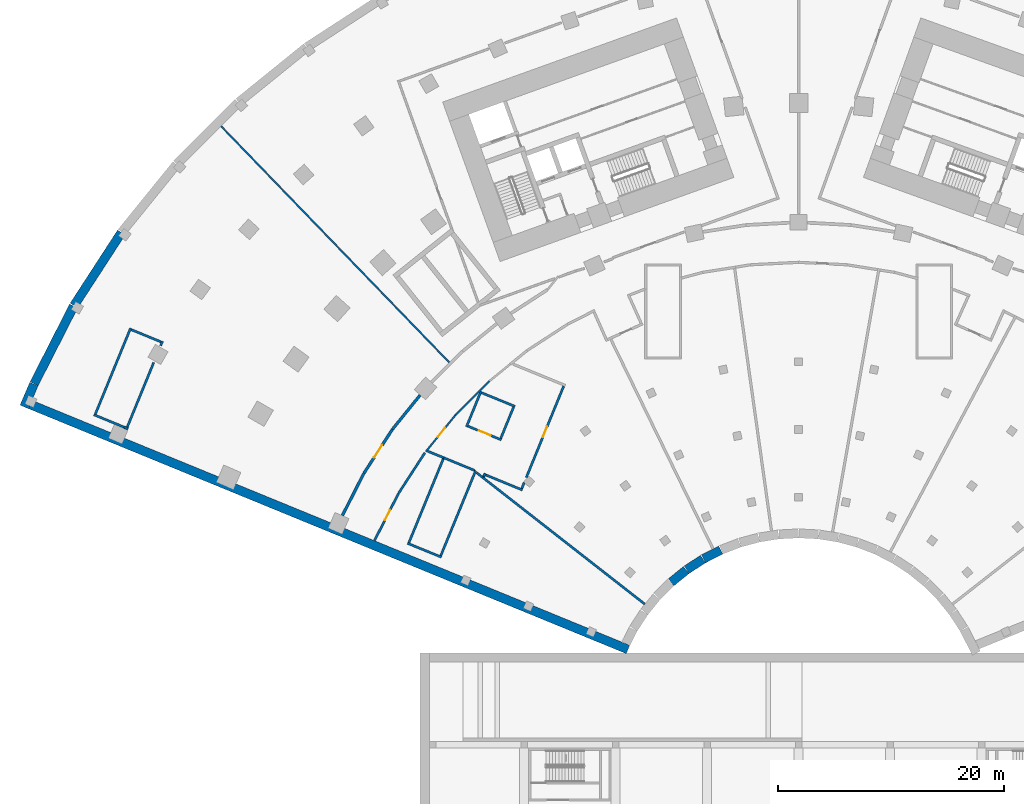
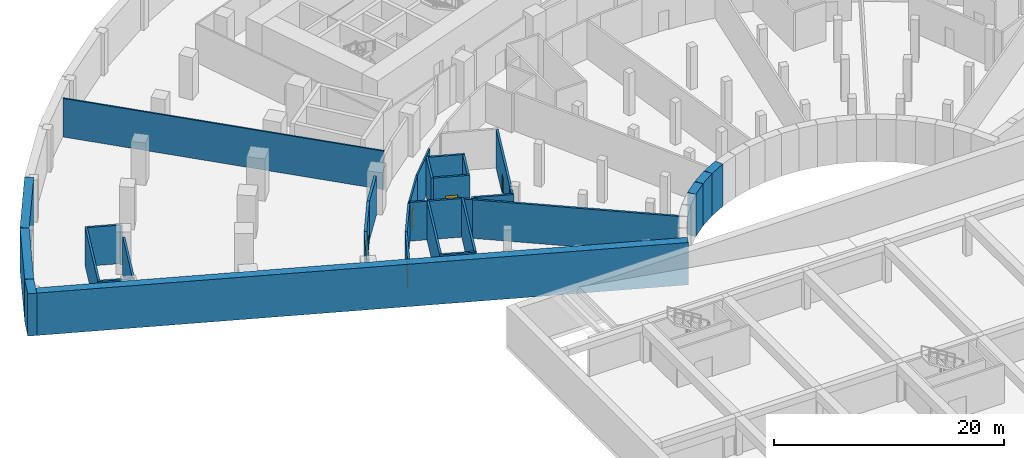
# One storey, part 7 of 21: 36 walls, 5 doors, 5 openings.
"""IFC4 building model written with IfcOpenShell, lengths in metres."""

from ifc_helpers import new_model, si_unit, direction, frame, frame_2d, origin, place, context, subcontext, project, spatial, rectangle, extrude, material, layer, layer_set, type_object, element, fill, save


model = new_model("IFC4")

# Units and contexts
model_context = context("Model", 3, precision=1e-05, world=origin(), true_north=direction((0.0, 1.0)))
body_context = subcontext(model_context, "Body", "Model", "MODEL_VIEW")
ifc_project = project(units=[si_unit("LENGTHUNIT", "METRE"), si_unit("AREAUNIT", "SQUARE_METRE"), si_unit("VOLUMEUNIT", "CUBIC_METRE"), si_unit("PLANEANGLEUNIT", "RADIAN"), si_unit("MASSUNIT", "GRAM", prefix="KILO")], contexts=[model_context])

# Site, building, storey
site_placement = place(None, origin())
site = spatial("IfcSite", under=ifc_project, at=site_placement, CompositionType="ELEMENT")
building_placement = place(site_placement, origin())
building = spatial("IfcBuilding", under=site, at=building_placement, Name="Stone Belt Terrace Tower", CompositionType="ELEMENT")
storey_placement = place(building_placement, frame((0.0, 0.0, -9.0)))
storey = spatial("IfcBuildingStorey", under=building, at=storey_placement, Name="B2", CompositionType="ELEMENT", Elevation=-9.0)

# Walls
ifc_material_1 = material(Name="Concrete B30", Category="concrete")
ifc_layer_1 = layer(ifc_material_1, 0.800048828125)
ifc_layer_set_1 = layer_set([ifc_layer_1], Name="Basement wall 800 B30")
wall_type_1 = type_object("IfcWallType", Name="Basement wall 800 B30", PredefinedType="SHEAR", material=ifc_layer_set_1)
for number, where, z_axis, x_axis, name in (
    (1, (-11.29248046875, 12.57275390625, 0.0), (0.0, 0.0, 1.0), (0.777159277127, 0.629303947211, 0.0), "Basement wall B2 5"),
    (2, (-9.916259765625, 13.68408203125, 0.0), (0.0, 0.0, 1.0), (0.83855986691, 0.544809461745, 0.0), "Basement wall B2 6"),
    (3, (-8.431640625, 14.645751953125, 0.0), (0.0, 0.0, 1.0), (0.890980157198, 0.454042244157, 0.0), "Basement wall B2 7"),
):
    element("IfcWall", number, at=place(storey_placement, frame(where, z_axis=z_axis, x_axis=x_axis)), inside=storey, type_object=wall_type_1, Name=name, PredefinedType="SHEAR", context=body_context, shape_type="SweptSolid", body=[
        extrude(rectangle(XDim=1.72705078125, YDim=0.800048828125, at=frame_2d((0.863525390625, 0.0))), origin(), (0.0, 0.0, 1.0), 4.5),
    ])
wall_1_placement = place(storey_placement, frame((-59.958984375, 43.537109375, 0.0), z_axis=(0.0, 0.0, 1.0), x_axis=(-0.544654589696, -0.838660466412, 0.0)))
element("IfcWall", 4, at=wall_1_placement, inside=storey, type_object=wall_type_1, Name="Basement wall B2 45", PredefinedType="SHEAR", context=body_context, shape_type="SweptSolid", body=[
    extrude(rectangle(XDim=7.71435546875, YDim=0.800048828125, at=frame_2d((3.857177734375, 0.0))), origin(), (0.0, 0.0, 1.0), 4.5),
])
wall_2_placement = place(storey_placement, frame((-64.181396484375, 37.031005859375, 0.0), z_axis=(0.0, 0.0, 1.0), x_axis=(-0.453998176185, -0.891002612803, 0.0)))
element("IfcWall", 5, at=wall_2_placement, inside=storey, type_object=wall_type_1, Name="Basement wall B2 46", PredefinedType="SHEAR", context=body_context, shape_type="SweptSolid", body=[
    extrude(rectangle(XDim=7.729248046875, YDim=0.800048828125, at=frame_2d((3.86474609375, 0.0))), origin(), (0.0, 0.0, 1.0), 4.5),
])
wall_3_placement = place(storey_placement, frame((-67.701904296875, 30.119873046875, 0.0), z_axis=(0.0, 0.0, 1.0), x_axis=(-0.39301958046, -0.919530102485, 0.0)))
element("IfcWall", 6, at=wall_3_placement, inside=storey, type_object=wall_type_1, Name="Basement wall B2 47", PredefinedType="SHEAR", context=body_context, shape_type="SweptSolid", body=[
    extrude(rectangle(XDim=2.194580078125, YDim=0.800048828125, at=frame_2d((1.09716796875, 0.0))), origin(), (0.0, 0.0, 1.0), 4.5),
])
wall_4_placement = place(storey_placement, frame((-68.037109375, 28.318115234375, 0.0), z_axis=(0.0, 0.0, 1.0), x_axis=(0.925297576328, -0.37924186905, 0.0)))
element("IfcWall", 7, at=wall_4_placement, inside=storey, type_object=wall_type_1, Name="Basement wall B2 48", PredefinedType="SHEAR", context=body_context, shape_type="SweptSolid", body=[
    extrude(rectangle(XDim=57.199951171875, YDim=0.800048828125, at=frame_2d((28.60009765625, 0.0))), origin(), (0.0, 0.0, 1.0), 4.5),
])
ifc_layer_2 = layer(ifc_material_1, 0.25)
ifc_layer_set_2 = layer_set([ifc_layer_2], Name="Compartment wall 250")
wall_type_2 = type_object("IfcWallType", Name="Compartment wall 250", PredefinedType="SOLIDWALL", material=ifc_layer_set_2)
wall_5_placement = place(storey_placement, frame((-40.39208984375, 18.488037109375, 0.0), z_axis=(0.0, 0.0, 1.0), x_axis=(0.454112038916, 0.890944586443, 0.0)))
element("IfcWall", 8, at=wall_5_placement, inside=storey, type_object=wall_type_2, Name="Compartment wall B2 1", PredefinedType="SOLIDWALL", context=body_context, shape_type="SweptSolid", body=[
    extrude(rectangle(XDim=4.18212890625, YDim=0.25, at=frame_2d((2.091064453125, 0.0))), origin(), (0.0, 0.0, 1.0), 4.10009765625),
])

# Wall, opening, door
wall_6_placement = place(storey_placement, frame((-38.486572265625, 22.2255859375, 0.0), z_axis=(0.0, 0.0, 1.0), x_axis=(0.544253220019, 0.838920993002, 0.0)))
wall_6 = element("IfcWall", 9, at=wall_6_placement, inside=storey, type_object=wall_type_2, Name="Compartment wall B2 2", PredefinedType="SOLIDWALL", context=body_context, shape_type="SweptSolid", body=[
    extrude(rectangle(XDim=4.635498046875, YDim=0.25, at=frame_2d((2.31787109375, 0.0))), origin(), (0.0, 0.0, 1.0), 4.10009765625),
])
opening_1_placement = place(wall_6_placement, frame((1.667724609375, 0.0, 0.0)))
opening_1 = element("IfcOpeningElement", 10, at=opening_1_placement, cuts=wall_6, Name="Opening B2-P10", PredefinedType="OPENING", context=body_context, shape_type="SweptSolid", body=[
    extrude(rectangle(XDim=1.300048828125, YDim=2.10009765625, at=frame_2d((0.64990234375, 1.050048828125))), frame((0.0, 0.135009765625, 0.0), z_axis=(0.0, -1.0, 0.0), x_axis=(1.0, 0.0, 0.0)), (0.0, 0.0, 1.0), 0.27001953125),
])
ifc_material_2 = material(Name="Steel framed fire door leaf", Category="steel")
door_type_1 = type_object("IfcDoorType", Name="Fire door 1300 x 2100 EI 60", OperationType="SINGLE_SWING_LEFT", PredefinedType="DOOR", material=ifc_material_2)
door_1_placement = place(opening_1_placement, origin())
door_1 = element("IfcDoor", 11, at=door_1_placement, inside=storey, type_object=door_type_1, Name="Fire door 1300 x 2100 EI 60", OperationType="SINGLE_SWING_LEFT", OverallHeight=2.10009765625, OverallWidth=1.300048828125, PredefinedType="DOOR", context=body_context, shape_type="SweptSolid", body=[
    extrude(rectangle(XDim=1.300048828125, YDim=2.10009765625, at=frame_2d((0.64990234375, 1.050048828125))), frame((0.0, 0.02490234375, 0.0), z_axis=(0.0, -1.0, 0.0), x_axis=(1.0, 0.0, 0.0)), (0.0, 0.0, 1.0), 0.050048828125),
])
fill(opening_1, door_1)

# Wall
wall_7_placement = place(storey_placement, frame((-35.955810546875, 26.125, 0.0), z_axis=(0.0, 0.0, 1.0), x_axis=(0.629104116974, 0.777321046934, 0.0)))
element("IfcWall", 12, at=wall_7_placement, inside=storey, type_object=wall_type_2, Name="Compartment wall B2 3", PredefinedType="SOLIDWALL", context=body_context, shape_type="SweptSolid", body=[
    extrude(rectangle(XDim=3.880859375, YDim=0.25, at=frame_2d((1.9404296875, 0.0))), origin(), (0.0, 0.0, 1.0), 4.10009765625),
])

# Wall, opening, door
ifc_material_3 = material(Name="Blockwork wall, plastered both faces", Category="masonry")
ifc_layer_3 = layer(ifc_material_3, 0.199951171875)
ifc_layer_set_3 = layer_set([ifc_layer_3], Name="Podium demising wall 200")
wall_type_3 = type_object("IfcWallType", Name="Podium demising wall 200", PredefinedType="PARTITIONING", material=ifc_layer_set_3)
wall_8_placement = place(storey_placement, frame((-37.550537109375, 16.264892578125, 0.0), z_axis=(0.0, 0.0, 1.0), x_axis=(0.453666479384, 0.891171546608, 0.0)))
wall_8 = element("IfcWall", 13, at=wall_8_placement, inside=storey, type_object=wall_type_3, Name="Podium demising wall 200", PredefinedType="PARTITIONING", context=body_context, shape_type="SweptSolid", body=[
    extrude(rectangle(XDim=4.682861328125, YDim=0.199951171875, at=frame_2d((2.34130859375, 0.0))), origin(), (0.0, 0.0, 1.0), 4.10009765625),
])
opening_2_placement = place(wall_8_placement, frame((2.03369140625, 0.0, 0.0)))
opening_2 = element("IfcOpeningElement", 14, at=opening_2_placement, cuts=wall_8, Name="Opening B2-P03", PredefinedType="OPENING", context=body_context, shape_type="SweptSolid", body=[
    extrude(rectangle(XDim=1.0, YDim=2.10009765625, at=frame_2d((0.5, 1.050048828125))), frame((0.0, 0.10986328125, 0.0), z_axis=(0.0, -1.0, 0.0), x_axis=(1.0, 0.0, 0.0)), (0.0, 0.0, 1.0), 0.219970703125),
])
ifc_material_4 = material(Name="Steel framed door leaf", Category="steel")
door_type_2 = type_object("IfcDoorType", Name="Podium door single 1000", OperationType="SINGLE_SWING_LEFT", PredefinedType="DOOR", material=ifc_material_4)
door_2_placement = place(opening_2_placement, origin())
door_2 = element("IfcDoor", 15, at=door_2_placement, inside=storey, type_object=door_type_2, Name="Podium door single 1000", OperationType="SINGLE_SWING_LEFT", OverallHeight=2.10009765625, OverallWidth=1.0, PredefinedType="DOOR", context=body_context, shape_type="SweptSolid", body=[
    extrude(rectangle(XDim=1.0, YDim=2.10009765625, at=frame_2d((0.5, 1.050048828125))), frame((0.0, 0.02490234375, 0.0), z_axis=(0.0, -1.0, 0.0), x_axis=(1.0, 0.0, 0.0)), (0.0, 0.0, 1.0), 0.050048828125),
])
fill(opening_2, door_2)

# Walls
wall_9_placement = place(storey_placement, frame((-35.4169921875, 20.454345703125, 0.0), z_axis=(0.0, 0.0, 1.0), x_axis=(0.544379260043, 0.838839210597, 0.0)))
element("IfcWall", 16, at=wall_9_placement, inside=storey, type_object=wall_type_3, Name="Podium demising wall 200", PredefinedType="PARTITIONING", context=body_context, shape_type="SweptSolid", body=[
    extrude(rectangle(XDim=4.27001953125, YDim=0.199951171875, at=frame_2d((2.135009765625, 0.0))), origin(), (0.0, 0.0, 1.0), 4.10009765625),
])
wall_10_placement = place(storey_placement, frame((-33.012451171875, 24.24951171875, 0.0), z_axis=(0.0, 0.0, 1.0), x_axis=(0.925948983582, -0.377648619492, 0.0)))
element("IfcWall", 17, at=wall_10_placement, inside=storey, type_object=wall_type_3, Name="Podium demising wall 200", PredefinedType="PARTITIONING", context=body_context, shape_type="SweptSolid", body=[
    extrude(rectangle(XDim=1.7197265625, YDim=0.199951171875, at=frame_2d((0.85986328125, 0.0))), origin(), (0.0, 0.0, 1.0), 4.10009765625),
])
wall_11_placement = place(storey_placement, frame((-28.526123046875, 22.288818359375, 0.0), z_axis=(0.0, 0.0, 1.0), x_axis=(0.78751192227, -0.61629941772, 0.0)))
element("IfcWall", 18, at=wall_11_placement, inside=storey, type_object=wall_type_3, Name="Podium demising wall 200", PredefinedType="PARTITIONING", context=body_context, shape_type="SweptSolid", body=[
    extrude(rectangle(XDim=0.744384765625, YDim=0.199951171875, at=frame_2d((0.3720703125, 0.0))), origin(), (0.0, 0.0, 1.0), 4.10009765625),
])
wall_12_placement = place(storey_placement, frame((-27.8818359375, 21.931640625, 0.0), z_axis=(0.0, 0.0, 1.0), x_axis=(0.495967186365, 0.868341263588, 0.0)))
element("IfcWall", 19, at=wall_12_placement, inside=storey, type_object=wall_type_3, Name="Podium demising wall 200", PredefinedType="PARTITIONING", context=body_context, shape_type="SweptSolid", body=[
    extrude(rectangle(XDim=0.30615234375, YDim=0.199951171875, at=frame_2d((0.153076171875, 0.0))), origin(), (0.0, 0.0, 1.0), 4.10009765625),
])
wall_13_placement = place(storey_placement, frame((-27.9384765625, 21.82861328125, 0.0), z_axis=(0.0, 0.0, 1.0), x_axis=(0.787967745866, -0.61571651876, 0.0)))
element("IfcWall", 20, at=wall_13_placement, inside=storey, type_object=wall_type_3, Name="Podium demising wall 200", PredefinedType="PARTITIONING", context=body_context, shape_type="SweptSolid", body=[
    extrude(rectangle(XDim=18.171875, YDim=0.199951171875, at=frame_2d((9.0859375, 0.0))), origin(), (0.0, 0.0, 1.0), 4.10009765625),
])
wall_14_placement = place(storey_placement, frame((-27.686767578125, 22.071533203125, 0.0), z_axis=(0.0, 0.0, 1.0), x_axis=(0.924688232905, -0.380725192137, 0.0)))
element("IfcWall", 21, at=wall_14_placement, inside=storey, type_object=wall_type_3, Name="Podium demising wall 200", PredefinedType="PARTITIONING", context=body_context, shape_type="SweptSolid", body=[
    extrude(rectangle(XDim=3.4921875, YDim=0.199951171875, at=frame_2d((1.74609375, 0.0))), origin(), (0.0, 0.0, 1.0), 4.10009765625),
])
wall_15_placement = place(storey_placement, frame((-24.51220703125, 20.87255859375, 0.0), z_axis=(0.0, 0.0, 1.0), x_axis=(0.378951410759, 0.925416570137, 0.0)))
element("IfcWall", 22, at=wall_15_placement, inside=storey, type_object=wall_type_3, Name="Podium demising wall 200", PredefinedType="PARTITIONING", context=body_context, shape_type="SweptSolid", body=[
    extrude(rectangle(XDim=0.56689453125, YDim=0.199951171875, at=frame_2d((0.283447265625, 0.0))), origin(), (0.0, 0.0, 1.0), 4.10009765625),
])

# Wall, opening, door
wall_16_placement = place(storey_placement, frame((-24.113037109375, 21.84765625, 0.0), z_axis=(0.0, 0.0, 1.0), x_axis=(0.378790337621, 0.925482512058, 0.0)))
wall_16 = element("IfcWall", 23, at=wall_16_placement, inside=storey, type_object=wall_type_3, Name="Podium demising wall 200", PredefinedType="PARTITIONING", context=body_context, shape_type="SweptSolid", body=[
    extrude(rectangle(XDim=8.751953125, YDim=0.199951171875, at=frame_2d((4.3759765625, 0.0))), origin(), (0.0, 0.0, 1.0), 4.10009765625),
])
opening_3_placement = place(wall_16_placement, frame((3.8759765625, 0.0, 0.0)))
opening_3 = element("IfcOpeningElement", 24, at=opening_3_placement, cuts=wall_16, Name="Opening B2-P04", PredefinedType="OPENING", context=body_context, shape_type="SweptSolid", body=[
    extrude(rectangle(XDim=1.0, YDim=2.10009765625, at=frame_2d((0.5, 1.050048828125))), frame((0.0, 0.10986328125, 0.0), z_axis=(0.0, -1.0, 0.0), x_axis=(1.0, 0.0, 0.0)), (0.0, 0.0, 1.0), 0.219970703125),
])
door_3_placement = place(opening_3_placement, origin())
door_3 = element("IfcDoor", 25, at=door_3_placement, inside=storey, type_object=door_type_2, Name="Podium door single 1000", OperationType="SINGLE_SWING_RIGHT", OverallHeight=2.10009765625, OverallWidth=1.0, PredefinedType="DOOR", context=body_context, shape_type="SweptSolid", body=[
    extrude(rectangle(XDim=1.0, YDim=2.10009765625, at=frame_2d((0.5, 1.050048828125))), frame((0.0, 0.02490234375, 0.0), z_axis=(0.0, -1.0, 0.0), x_axis=(1.0, 0.0, 0.0)), (0.0, 0.0, 1.0), 0.050048828125),
])
fill(opening_3, door_3)

# Wall
ifc_material_5 = material(Name="Reinforced blockwork wall, plastered both faces", Category="masonry")
ifc_layer_4 = layer(ifc_material_5, 0.199951171875)
ifc_layer_set_4 = layer_set([ifc_layer_4], Name="Podium lift shaft wall 200")
wall_type_4 = type_object("IfcWallType", Name="Podium lift shaft wall 200", PredefinedType="SOLIDWALL", material=ifc_layer_set_4)
wall_17_placement = place(storey_placement, frame((-29.40771484375, 26.33740234375, 0.0), z_axis=(0.0, 0.0, 1.0), x_axis=(0.378305478066, 0.925680811762, 0.0)))
element("IfcWall", 26, at=wall_17_placement, inside=storey, type_object=wall_type_4, Name="Podium lift shaft wall 200", PredefinedType="SOLIDWALL", context=body_context, shape_type="SweptSolid", body=[
    extrude(rectangle(XDim=3.397705078125, YDim=0.199951171875, at=frame_2d((1.69873046875, 0.0))), origin(), (0.0, 0.0, 1.0), 4.10009765625),
])

# Wall, opening, door
wall_18_placement = place(storey_placement, frame((-29.27734375, 26.39208984375, 0.0), z_axis=(0.0, 0.0, 1.0), x_axis=(0.92564908085, -0.378383111571, 0.0)))
wall_18 = element("IfcWall", 27, at=wall_18_placement, inside=storey, type_object=wall_type_4, Name="Podium lift shaft wall 200", PredefinedType="SOLIDWALL", context=body_context, shape_type="SweptSolid", body=[
    extrude(rectangle(XDim=3.19775390625, YDim=0.199951171875, at=frame_2d((1.598876953125, 0.0))), origin(), (0.0, 0.0, 1.0), 4.10009765625),
])
opening_4_placement = place(wall_18_placement, frame((1.048828125, 0.0, 0.0)))
opening_4 = element("IfcOpeningElement", 28, at=opening_4_placement, cuts=wall_18, Name="Opening B2-P01", PredefinedType="OPENING", context=body_context, shape_type="SweptSolid", body=[
    extrude(rectangle(XDim=1.10009765625, YDim=2.10009765625, at=frame_2d((0.550048828125, 1.050048828125))), frame((0.0, 0.10986328125, 0.0), z_axis=(0.0, -1.0, 0.0), x_axis=(1.0, 0.0, 0.0)), (0.0, 0.0, 1.0), 0.219970703125),
])
ifc_material_6 = material(Name="Stainless steel sliding landing door leaf", Category="steel")
door_type_3 = type_object("IfcDoorType", Name="Podium landing door 1100", OperationType="SLIDING_TO_LEFT", PredefinedType="DOOR", material=ifc_material_6)
door_4_placement = place(opening_4_placement, origin())
door_4 = element("IfcDoor", 29, at=door_4_placement, inside=storey, type_object=door_type_3, Name="Podium landing door 1100", OperationType="SLIDING_TO_LEFT", OverallHeight=2.10009765625, OverallWidth=1.10009765625, PredefinedType="DOOR", context=body_context, shape_type="SweptSolid", body=[
    extrude(rectangle(XDim=1.10009765625, YDim=2.10009765625, at=frame_2d((0.550048828125, 1.050048828125))), frame((0.0, 0.02490234375, 0.0), z_axis=(0.0, -1.0, 0.0), x_axis=(1.0, 0.0, 0.0)), (0.0, 0.0, 1.0), 0.050048828125),
])
fill(opening_4, door_4)

# Walls
wall_19_placement = place(storey_placement, frame((-28.0673828125, 29.352294921875, 0.0), z_axis=(0.0, 0.0, 1.0), x_axis=(0.925622338254, -0.378448526124, 0.0)))
element("IfcWall", 30, at=wall_19_placement, inside=storey, type_object=wall_type_4, Name="Podium lift shaft wall 200", PredefinedType="SOLIDWALL", context=body_context, shape_type="SweptSolid", body=[
    extrude(rectangle(XDim=3.19775390625, YDim=0.199951171875, at=frame_2d((1.598876953125, 0.0))), origin(), (0.0, 0.0, 1.0), 4.10009765625),
])
wall_20_placement = place(storey_placement, frame((-26.372314453125, 25.3125, 0.0), z_axis=(0.0, 0.0, 1.0), x_axis=(0.378442575395, 0.925624771237, 0.0)))
element("IfcWall", 31, at=wall_20_placement, inside=storey, type_object=wall_type_4, Name="Podium lift shaft wall 200", PredefinedType="SOLIDWALL", context=body_context, shape_type="SweptSolid", body=[
    extrude(rectangle(XDim=2.997802734375, YDim=0.199951171875, at=frame_2d((1.4990234375, 0.0))), origin(), (0.0, 0.0, 1.0), 4.10009765625),
])
ifc_material_7 = material(Name="Gypsum board on steel stud partition", Category="steel")
ifc_layer_5 = layer(ifc_material_7, 0.14990234375)
ifc_layer_set_5 = layer_set([ifc_layer_5], Name="Podium partition 150")
wall_type_5 = type_object("IfcWallType", Name="Podium partition 150", PredefinedType="PARTITIONING", material=ifc_layer_set_5)
wall_21_placement = place(storey_placement, frame((-51.1298828125, 52.949951171875, 0.0), z_axis=(0.0, 0.0, 1.0), x_axis=(0.694652330174, -0.719345633325, 0.0)))
element("IfcWall", 32, at=wall_21_placement, inside=storey, type_object=wall_type_5, Name="Podium partition 150", PredefinedType="PARTITIONING", context=body_context, shape_type="SweptSolid", body=[
    extrude(rectangle(XDim=29.08740234375, YDim=0.14990234375, at=frame_2d((14.543701171875, 0.0))), origin(), (0.0, 0.0, 1.0), 4.10009765625),
])

# Wall, opening, door
wall_22_placement = place(storey_placement, frame((-32.8603515625, 24.318359375, 0.0), z_axis=(0.0, 0.0, 1.0), x_axis=(0.62917853157, 0.777260815564, 0.0)))
wall_22 = element("IfcWall", 33, at=wall_22_placement, inside=storey, type_object=wall_type_5, Name="Podium partition 150", PredefinedType="PARTITIONING", context=body_context, shape_type="SweptSolid", body=[
    extrude(rectangle(XDim=3.922119140625, YDim=0.14990234375, at=frame_2d((1.9609375, 0.0))), origin(), (0.0, 0.0, 1.0), 4.10009765625),
])
opening_5_placement = place(wall_22_placement, frame((1.4501953125, 0.0, 0.0)))
opening_5 = element("IfcOpeningElement", 34, at=opening_5_placement, cuts=wall_22, Name="Opening B2-P18", PredefinedType="OPENING", context=body_context, shape_type="SweptSolid", body=[
    extrude(rectangle(XDim=1.0, YDim=2.10009765625, at=frame_2d((0.5, 1.050048828125))), frame((0.0, 0.0849609375, 0.0), z_axis=(0.0, -1.0, 0.0), x_axis=(1.0, 0.0, 0.0)), (0.0, 0.0, 1.0), 0.169921875),
])
door_5_placement = place(opening_5_placement, origin())
door_5 = element("IfcDoor", 35, at=door_5_placement, inside=storey, type_object=door_type_2, Name="Podium door single 1000", OperationType="SINGLE_SWING_RIGHT", OverallHeight=2.10009765625, OverallWidth=1.0, PredefinedType="DOOR", context=body_context, shape_type="SweptSolid", body=[
    extrude(rectangle(XDim=1.0, YDim=2.10009765625, at=frame_2d((0.5, 1.050048828125))), frame((0.0, 0.02490234375, 0.0), z_axis=(0.0, -1.0, 0.0), x_axis=(1.0, 0.0, 0.0)), (0.0, 0.0, 1.0), 0.050048828125),
])
fill(opening_5, door_5)

# Walls
wall_23_placement = place(storey_placement, frame((-30.38720703125, 27.372802734375, 0.0), z_axis=(0.0, 0.0, 1.0), x_axis=(0.707106781187, 0.707106781187, 0.0)))
element("IfcWall", 36, at=wall_23_placement, inside=storey, type_object=wall_type_5, Name="Podium partition 150", PredefinedType="PARTITIONING", context=body_context, shape_type="SweptSolid", body=[
    extrude(rectangle(XDim=4.262939453125, YDim=0.14990234375, at=frame_2d((2.13134765625, 0.0))), origin(), (0.0, 0.0, 1.0), 4.10009765625),
])
ifc_layer_6 = layer(ifc_material_1, 0.199951171875)
ifc_layer_set_6 = layer_set([ifc_layer_6], Name="Podium stair and shaft wall 200")
wall_type_6 = type_object("IfcWallType", Name="Podium stair and shaft wall 200", PredefinedType="SOLIDWALL", material=ifc_layer_set_6)
wall_24_placement = place(storey_placement, frame((-62.392578125, 27.407958984375, 0.0), z_axis=(0.0, 0.0, 1.0), x_axis=(0.924848362186, -0.380336044783, 0.0)))
element("IfcWall", 37, at=wall_24_placement, inside=storey, type_object=wall_type_6, Name="Podium stair and shaft wall 200", PredefinedType="SOLIDWALL", context=body_context, shape_type="SweptSolid", body=[
    extrude(rectangle(XDim=2.87890625, YDim=0.199951171875, at=frame_2d((1.439453125, 0.0))), origin(), (0.0, 0.0, 1.0), 4.10009765625),
])
wall_25_placement = place(storey_placement, frame((-59.72998046875, 26.31298828125, 0.0), z_axis=(0.0, 0.0, 1.0), x_axis=(0.924841834944, -0.380351916438, 0.0)))
element("IfcWall", 38, at=wall_25_placement, inside=storey, type_object=wall_type_6, Name="Podium stair and shaft wall 200", PredefinedType="SOLIDWALL", context=body_context, shape_type="SweptSolid", body=[
    extrude(rectangle(XDim=0.370361328125, YDim=0.199951171875, at=frame_2d((0.18505859375, 0.0))), origin(), (0.0, 0.0, 1.0), 4.10009765625),
])
wall_26_placement = place(storey_placement, frame((-62.26220703125, 27.46240234375, 0.0), z_axis=(0.0, 0.0, 1.0), x_axis=(0.379350485872, 0.925253051261, 0.0)))
element("IfcWall", 39, at=wall_26_placement, inside=storey, type_object=wall_type_6, Name="Podium stair and shaft wall 200", PredefinedType="SOLIDWALL", context=body_context, shape_type="SweptSolid", body=[
    extrude(rectangle(XDim=8.224853515625, YDim=0.199951171875, at=frame_2d((4.1123046875, 0.0))), origin(), (0.0, 0.0, 1.0), 4.10009765625),
])
wall_27_placement = place(storey_placement, frame((-59.442138671875, 26.302490234375, 0.0), z_axis=(0.0, 0.0, 1.0), x_axis=(0.37933470683, 0.925259520456, 0.0)))
element("IfcWall", 40, at=wall_27_placement, inside=storey, type_object=wall_type_6, Name="Podium stair and shaft wall 200", PredefinedType="SOLIDWALL", context=body_context, shape_type="SweptSolid", body=[
    extrude(rectangle(XDim=6.18896484375, YDim=0.199951171875, at=frame_2d((3.094482421875, 0.0))), origin(), (0.0, 0.0, 1.0), 4.10009765625),
])
wall_28_placement = place(storey_placement, frame((-56.48291015625, 33.5205078125, 0.0), z_axis=(0.0, 0.0, 1.0), x_axis=(0.379619568947, 0.92514268244, 0.0)))
element("IfcWall", 41, at=wall_28_placement, inside=storey, type_object=wall_type_6, Name="Podium stair and shaft wall 200", PredefinedType="SOLIDWALL", context=body_context, shape_type="SweptSolid", body=[
    extrude(rectangle(XDim=0.423828125, YDim=0.199951171875, at=frame_2d((0.2119140625, 0.0))), origin(), (0.0, 0.0, 1.0), 4.10009765625),
])
wall_29_placement = place(storey_placement, frame((-59.08740234375, 34.94189453125, 0.0), z_axis=(0.0, 0.0, 1.0), x_axis=(0.924804041084, -0.380443800835, 0.0)))
element("IfcWall", 42, at=wall_29_placement, inside=storey, type_object=wall_type_6, Name="Podium stair and shaft wall 200", PredefinedType="SOLIDWALL", context=body_context, shape_type="SweptSolid", body=[
    extrude(rectangle(XDim=2.849365234375, YDim=0.199951171875, at=frame_2d((1.4248046875, 0.0))), origin(), (0.0, 0.0, 1.0), 4.10009765625),
])
wall_30_placement = place(storey_placement, frame((-34.632568359375, 16.02783203125, 0.0), z_axis=(0.0, 0.0, 1.0), x_axis=(0.925955033423, -0.377633785668, 0.0)))
element("IfcWall", 43, at=wall_30_placement, inside=storey, type_object=wall_type_6, Name="Podium stair and shaft wall 200", PredefinedType="SOLIDWALL", context=body_context, shape_type="SweptSolid", body=[
    extrude(rectangle(XDim=3.245361328125, YDim=0.199951171875, at=frame_2d((1.62255859375, 0.0))), origin(), (0.0, 0.0, 1.0), 4.10009765625),
])
wall_31_placement = place(storey_placement, frame((-34.502197265625, 16.08251953125, 0.0), z_axis=(0.0, 0.0, 1.0), x_axis=(0.379344686309, 0.925255429041, 0.0)))
element("IfcWall", 44, at=wall_31_placement, inside=storey, type_object=wall_type_6, Name="Podium stair and shaft wall 200", PredefinedType="SOLIDWALL", context=body_context, shape_type="SweptSolid", body=[
    extrude(rectangle(XDim=8.02490234375, YDim=0.199951171875, at=frame_2d((4.012451171875, 0.0))), origin(), (0.0, 0.0, 1.0), 4.10009765625),
])
wall_32_placement = place(storey_placement, frame((-31.681884765625, 14.9326171875, 0.0), z_axis=(0.0, 0.0, 1.0), x_axis=(0.379626103988, 0.925140000849, 0.0)))
element("IfcWall", 45, at=wall_32_placement, inside=storey, type_object=wall_type_6, Name="Podium stair and shaft wall 200", PredefinedType="SOLIDWALL", context=body_context, shape_type="SweptSolid", body=[
    extrude(rectangle(XDim=8.14306640625, YDim=0.199951171875, at=frame_2d((4.071533203125, 0.0))), origin(), (0.0, 0.0, 1.0), 4.10009765625),
])
wall_33_placement = place(storey_placement, frame((-31.419921875, 23.599853515625, 0.0), z_axis=(0.0, 0.0, 1.0), x_axis=(0.924822143867, -0.380399792604, 0.0)))
element("IfcWall", 46, at=wall_33_placement, inside=storey, type_object=wall_type_6, Name="Podium stair and shaft wall 200", PredefinedType="SOLIDWALL", context=body_context, shape_type="SweptSolid", body=[
    extrude(rectangle(XDim=2.947265625, YDim=0.199951171875, at=frame_2d((1.4736328125, 0.0))), origin(), (0.0, 0.0, 1.0), 4.10009765625),
])

save(model, "model.ifc")
